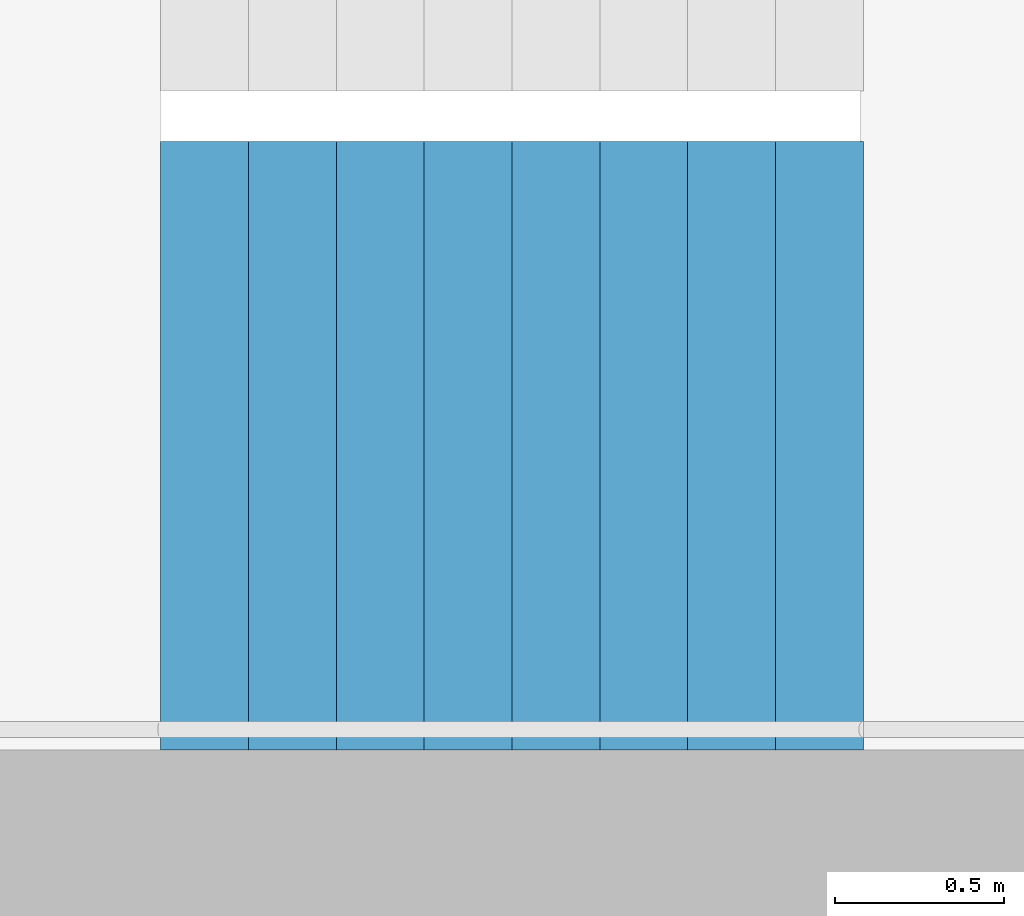
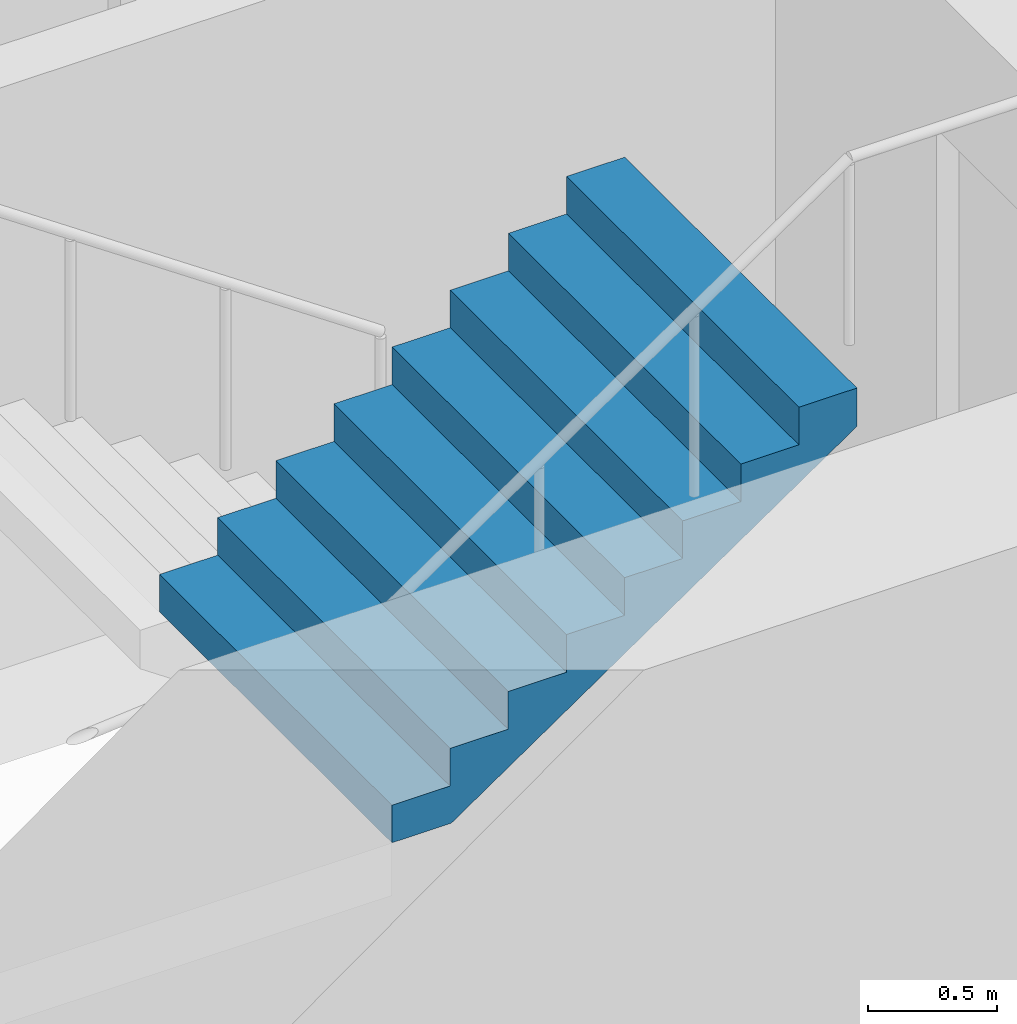
# One storey, part 18 of 30: 1 stair flight, 1 element without a shape of its own.
"""IFC4 building model written with IfcOpenShell, lengths in metres."""

from ifc_helpers import new_model, si_unit, direction, frame, origin, place, context, subcontext, project, spatial, triangles, material, type_object, element, aggregate, save


model = new_model("IFC4")

# Units and contexts
model_context = context("Model", 3, precision=1e-05, world=origin(), true_north=direction((0.0, 1.0)))
body_context = subcontext(model_context, "Body", "Model", "MODEL_VIEW")
ifc_project = project(units=[si_unit("LENGTHUNIT", "METRE"), si_unit("AREAUNIT", "SQUARE_METRE"), si_unit("VOLUMEUNIT", "CUBIC_METRE"), si_unit("PLANEANGLEUNIT", "RADIAN"), si_unit("MASSUNIT", "GRAM", prefix="KILO")], contexts=[model_context])

# Site, building, storey
site_placement = place(None, origin())
site = spatial("IfcSite", under=ifc_project, at=site_placement, CompositionType="ELEMENT")
building_placement = place(site_placement, origin())
building = spatial("IfcBuilding", under=site, at=building_placement, Name="Hakoniwa Tower and Hamabe Station Hall", CompositionType="ELEMENT")
storey_placement = place(building_placement, frame((0.0, 0.0, 245.39990234375)))
storey = spatial("IfcBuildingStorey", under=building, at=storey_placement, Name="L69", CompositionType="ELEMENT", Elevation=245.39990234375)

# Stair, stair flight
ifc_material_1 = material(Name="Concrete C40", Category="concrete")
stair_type = type_object("IfcStairType", Name="ESCAPE STAIR 1800", PredefinedType="HALF_TURN_STAIR", material=ifc_material_1)
stair_placement = place(storey_placement, origin())
stair = element("IfcStair", 1, at=stair_placement, inside=storey, type_object=stair_type, Name="Escape stair ST-2 L69", PredefinedType="HALF_TURN_STAIR")
ifc_material_2 = material(Name="Concrete C40", Category="concrete")
stair_flight_type = type_object("IfcStairFlightType", Name="STAIR FLIGHT 1800", PredefinedType="STRAIGHT", material=ifc_material_2)
stair_flight_placement = place(storey_placement, frame((-25.47998046875, -6.60009765625, 1.60009765625), z_axis=(0.0, 0.0, 1.0), x_axis=(1.0, 0.0, 0.0)))
stair_flight = element("IfcStairFlight", 2, at=stair_flight_placement, type_object=stair_flight_type, Name="ST-2 flight 2", NumberOfRisers=9, NumberOfTreads=8, PredefinedType="STRAIGHT", RiserHeight=0.177777778, TreadLength=0.26, context=body_context, shape_type="Tessellation", body=[
    triangles([(0.0, 0.89990234375, 0.0), (0.260009765625, 0.89990234375, 0.0), (0.265625, 0.89990234375, 0.0), (0.52001953125, 0.89990234375, 0.174072265625), (0.780029296875, 0.89990234375, 0.351806640625), (1.0400390625, 0.89990234375, 0.529541015625), (1.300048828125, 0.89990234375, 0.707275390625), (1.56005859375, 0.89990234375, 0.885009765625), (1.820068359375, 0.89990234375, 1.062744140625), (2.080078125, 0.89990234375, 1.24072265625), (2.080078125, 0.89990234375, 1.422119140625), (1.820068359375, 0.89990234375, 1.422119140625), (1.820068359375, 0.89990234375, 1.244384765625), (1.56005859375, 0.89990234375, 1.244384765625), (1.56005859375, 0.89990234375, 1.066650390625), (1.300048828125, 0.89990234375, 1.066650390625), (1.300048828125, 0.89990234375, 0.888916015625), (1.0400390625, 0.89990234375, 0.888916015625), (1.0400390625, 0.89990234375, 0.711181640625), (0.780029296875, 0.89990234375, 0.711181640625), (0.780029296875, 0.89990234375, 0.533447265625), (0.52001953125, 0.89990234375, 0.533447265625), (0.52001953125, 0.89990234375, 0.35546875), (0.265625, 0.89990234375, 0.35546875), (0.260009765625, 0.89990234375, 0.35546875), (0.260009765625, 0.89990234375, 0.177734375), (0.0, 0.89990234375, 0.177734375), (0.0, 0.06005859375, 0.0), (0.260009765625, 0.06005859375, 0.0), (0.265625, 0.06005859375, 0.0), (0.52001953125, 0.06005859375, 0.174072265625), (0.780029296875, 0.06005859375, 0.351806640625), (1.0400390625, 0.06005859375, 0.529541015625), (1.300048828125, 0.06005859375, 0.707275390625), (1.56005859375, 0.06005859375, 0.885009765625), (1.820068359375, 0.06005859375, 1.062744140625), (2.080078125, 0.06005859375, 1.24072265625), (2.080078125, 0.06005859375, 1.422119140625), (1.820068359375, 0.06005859375, 1.422119140625), (1.820068359375, 0.06005859375, 1.244384765625), (1.56005859375, 0.06005859375, 1.244384765625), (1.56005859375, 0.06005859375, 1.066650390625), (1.300048828125, 0.06005859375, 1.066650390625), (1.300048828125, 0.06005859375, 0.888916015625), (1.0400390625, 0.06005859375, 0.888916015625), (1.0400390625, 0.06005859375, 0.711181640625), (0.780029296875, 0.06005859375, 0.711181640625), (0.780029296875, 0.06005859375, 0.533447265625), (0.52001953125, 0.06005859375, 0.533447265625), (0.52001953125, 0.06005859375, 0.35546875), (0.265625, 0.06005859375, 0.35546875), (0.260009765625, 0.06005859375, 0.35546875), (0.260009765625, 0.06005859375, 0.177734375), (0.0, 0.06005859375, 0.177734375), (0.0, 0.04296875, 0.0), (0.260009765625, 0.04296875, 0.0), (0.265625, 0.04296875, 0.0), (0.52001953125, 0.04296875, 0.174072265625), (0.780029296875, 0.04296875, 0.351806640625), (1.0400390625, 0.04296875, 0.529541015625), (1.300048828125, 0.04296875, 0.707275390625), (1.56005859375, 0.04296875, 0.885009765625), (1.820068359375, 0.04296875, 1.062744140625), (2.080078125, 0.04296875, 1.24072265625), (2.080078125, 0.04296875, 1.422119140625), (1.820068359375, 0.04296875, 1.422119140625), (1.820068359375, 0.04296875, 1.244384765625), (1.56005859375, 0.04296875, 1.244384765625), (1.56005859375, 0.04296875, 1.066650390625), (1.300048828125, 0.04296875, 1.066650390625), (1.300048828125, 0.04296875, 0.888916015625), (1.0400390625, 0.04296875, 0.888916015625), (1.0400390625, 0.04296875, 0.711181640625), (0.780029296875, 0.04296875, 0.711181640625), (0.780029296875, 0.04296875, 0.533447265625), (0.52001953125, 0.04296875, 0.533447265625), (0.52001953125, 0.04296875, 0.35546875), (0.265625, 0.04296875, 0.35546875), (0.260009765625, 0.04296875, 0.35546875), (0.260009765625, 0.04296875, 0.177734375), (0.0, 0.04296875, 0.177734375), (0.0, 0.025634765625, 0.0), (0.260009765625, 0.025634765625, 0.0), (0.265625, 0.025634765625, 0.0), (0.52001953125, 0.025634765625, 0.174072265625), (0.780029296875, 0.025634765625, 0.351806640625), (1.0400390625, 0.025634765625, 0.529541015625), (1.300048828125, 0.025634765625, 0.707275390625), (1.56005859375, 0.025634765625, 0.885009765625), (1.820068359375, 0.025634765625, 1.062744140625), (2.080078125, 0.025634765625, 1.24072265625), (2.080078125, 0.025634765625, 1.422119140625), (1.820068359375, 0.025634765625, 1.422119140625), (1.820068359375, 0.025634765625, 1.244384765625), (1.56005859375, 0.025634765625, 1.244384765625), (1.56005859375, 0.025634765625, 1.066650390625), (1.300048828125, 0.025634765625, 1.066650390625), (1.300048828125, 0.025634765625, 0.888916015625), (1.0400390625, 0.025634765625, 0.888916015625), (1.0400390625, 0.025634765625, 0.711181640625), (0.780029296875, 0.025634765625, 0.711181640625), (0.780029296875, 0.025634765625, 0.533447265625), (0.52001953125, 0.025634765625, 0.533447265625), (0.52001953125, 0.025634765625, 0.35546875), (0.265625, 0.025634765625, 0.35546875), (0.260009765625, 0.025634765625, 0.35546875), (0.260009765625, 0.025634765625, 0.177734375), (0.0, 0.025634765625, 0.177734375), (0.0, 0.008544921875, 0.0), (0.260009765625, 0.008544921875, 0.0), (0.265625, 0.008544921875, 0.0), (0.52001953125, 0.008544921875, 0.174072265625), (0.780029296875, 0.008544921875, 0.351806640625), (1.0400390625, 0.008544921875, 0.529541015625), (1.300048828125, 0.008544921875, 0.707275390625), (1.56005859375, 0.008544921875, 0.885009765625), (1.820068359375, 0.008544921875, 1.062744140625), (2.080078125, 0.008544921875, 1.24072265625), (2.080078125, 0.008544921875, 1.422119140625), (1.820068359375, 0.008544921875, 1.422119140625), (1.820068359375, 0.008544921875, 1.244384765625), (1.56005859375, 0.008544921875, 1.244384765625), (1.56005859375, 0.008544921875, 1.066650390625), (1.300048828125, 0.008544921875, 1.066650390625), (1.300048828125, 0.008544921875, 0.888916015625), (1.0400390625, 0.008544921875, 0.888916015625), (1.0400390625, 0.008544921875, 0.711181640625), (0.780029296875, 0.008544921875, 0.711181640625), (0.780029296875, 0.008544921875, 0.533447265625), (0.52001953125, 0.008544921875, 0.533447265625), (0.52001953125, 0.008544921875, 0.35546875), (0.265625, 0.008544921875, 0.35546875), (0.260009765625, 0.008544921875, 0.35546875), (0.260009765625, 0.008544921875, 0.177734375), (0.0, 0.008544921875, 0.177734375), (0.0, -0.008544921875, 0.0), (0.260009765625, -0.008544921875, 0.0), (0.265625, -0.008544921875, 0.0), (0.52001953125, -0.008544921875, 0.174072265625), (0.780029296875, -0.008544921875, 0.351806640625), (1.0400390625, -0.008544921875, 0.529541015625), (1.300048828125, -0.008544921875, 0.707275390625), (1.56005859375, -0.008544921875, 0.885009765625), (1.820068359375, -0.008544921875, 1.062744140625), (2.080078125, -0.008544921875, 1.24072265625), (2.080078125, -0.008544921875, 1.422119140625), (1.820068359375, -0.008544921875, 1.422119140625), (1.820068359375, -0.008544921875, 1.244384765625), (1.56005859375, -0.008544921875, 1.244384765625), (1.56005859375, -0.008544921875, 1.066650390625), (1.300048828125, -0.008544921875, 1.066650390625), (1.300048828125, -0.008544921875, 0.888916015625), (1.0400390625, -0.008544921875, 0.888916015625), (1.0400390625, -0.008544921875, 0.711181640625), (0.780029296875, -0.008544921875, 0.711181640625), (0.780029296875, -0.008544921875, 0.533447265625), (0.52001953125, -0.008544921875, 0.533447265625), (0.52001953125, -0.008544921875, 0.35546875), (0.265625, -0.008544921875, 0.35546875), (0.260009765625, -0.008544921875, 0.35546875), (0.260009765625, -0.008544921875, 0.177734375), (0.0, -0.008544921875, 0.177734375), (0.0, -0.025634765625, 0.0), (0.260009765625, -0.025634765625, 0.0), (0.265625, -0.025634765625, 0.0), (0.52001953125, -0.025634765625, 0.174072265625), (0.780029296875, -0.025634765625, 0.351806640625), (1.0400390625, -0.025634765625, 0.529541015625), (1.300048828125, -0.025634765625, 0.707275390625), (1.56005859375, -0.025634765625, 0.885009765625), (1.820068359375, -0.025634765625, 1.062744140625), (2.080078125, -0.025634765625, 1.24072265625), (2.080078125, -0.025634765625, 1.422119140625), (1.820068359375, -0.025634765625, 1.422119140625), (1.820068359375, -0.025634765625, 1.244384765625), (1.56005859375, -0.025634765625, 1.244384765625), (1.56005859375, -0.025634765625, 1.066650390625), (1.300048828125, -0.025634765625, 1.066650390625), (1.300048828125, -0.025634765625, 0.888916015625), (1.0400390625, -0.025634765625, 0.888916015625), (1.0400390625, -0.025634765625, 0.711181640625), (0.780029296875, -0.025634765625, 0.711181640625), (0.780029296875, -0.025634765625, 0.533447265625), (0.52001953125, -0.025634765625, 0.533447265625), (0.52001953125, -0.025634765625, 0.35546875), (0.265625, -0.025634765625, 0.35546875), (0.260009765625, -0.025634765625, 0.35546875), (0.260009765625, -0.025634765625, 0.177734375), (0.0, -0.025634765625, 0.177734375), (0.0, -0.04296875, 0.0), (0.260009765625, -0.04296875, 0.0), (0.265625, -0.04296875, 0.0), (0.52001953125, -0.04296875, 0.174072265625), (0.780029296875, -0.04296875, 0.351806640625), (1.0400390625, -0.04296875, 0.529541015625), (1.300048828125, -0.04296875, 0.707275390625), (1.56005859375, -0.04296875, 0.885009765625), (1.820068359375, -0.04296875, 1.062744140625), (2.080078125, -0.04296875, 1.24072265625), (2.080078125, -0.04296875, 1.422119140625), (1.820068359375, -0.04296875, 1.422119140625), (1.820068359375, -0.04296875, 1.244384765625), (1.56005859375, -0.04296875, 1.244384765625), (1.56005859375, -0.04296875, 1.066650390625), (1.300048828125, -0.04296875, 1.066650390625), (1.300048828125, -0.04296875, 0.888916015625), (1.0400390625, -0.04296875, 0.888916015625), (1.0400390625, -0.04296875, 0.711181640625), (0.780029296875, -0.04296875, 0.711181640625), (0.780029296875, -0.04296875, 0.533447265625), (0.52001953125, -0.04296875, 0.533447265625), (0.52001953125, -0.04296875, 0.35546875), (0.265625, -0.04296875, 0.35546875), (0.260009765625, -0.04296875, 0.35546875), (0.260009765625, -0.04296875, 0.177734375), (0.0, -0.04296875, 0.177734375), (0.0, -0.06005859375, 0.0), (0.260009765625, -0.06005859375, 0.0), (0.265625, -0.06005859375, 0.0), (0.52001953125, -0.06005859375, 0.174072265625), (0.780029296875, -0.06005859375, 0.351806640625), (1.0400390625, -0.06005859375, 0.529541015625), (1.300048828125, -0.06005859375, 0.707275390625), (1.56005859375, -0.06005859375, 0.885009765625), (1.820068359375, -0.06005859375, 1.062744140625), (2.080078125, -0.06005859375, 1.24072265625), (2.080078125, -0.06005859375, 1.422119140625), (1.820068359375, -0.06005859375, 1.422119140625), (1.820068359375, -0.06005859375, 1.244384765625), (1.56005859375, -0.06005859375, 1.244384765625), (1.56005859375, -0.06005859375, 1.066650390625), (1.300048828125, -0.06005859375, 1.066650390625), (1.300048828125, -0.06005859375, 0.888916015625), (1.0400390625, -0.06005859375, 0.888916015625), (1.0400390625, -0.06005859375, 0.711181640625), (0.780029296875, -0.06005859375, 0.711181640625), (0.780029296875, -0.06005859375, 0.533447265625), (0.52001953125, -0.06005859375, 0.533447265625), (0.52001953125, -0.06005859375, 0.35546875), (0.265625, -0.06005859375, 0.35546875), (0.260009765625, -0.06005859375, 0.35546875), (0.260009765625, -0.06005859375, 0.177734375), (0.0, -0.06005859375, 0.177734375), (0.0, -0.89990234375, 0.0), (0.260009765625, -0.89990234375, 0.0), (0.265625, -0.89990234375, 0.0), (0.52001953125, -0.89990234375, 0.174072265625), (0.780029296875, -0.89990234375, 0.351806640625), (1.0400390625, -0.89990234375, 0.529541015625), (1.300048828125, -0.89990234375, 0.707275390625), (1.56005859375, -0.89990234375, 0.885009765625), (1.820068359375, -0.89990234375, 1.062744140625), (2.080078125, -0.89990234375, 1.24072265625), (2.080078125, -0.89990234375, 1.422119140625), (1.820068359375, -0.89990234375, 1.422119140625), (1.820068359375, -0.89990234375, 1.244384765625), (1.56005859375, -0.89990234375, 1.244384765625), (1.56005859375, -0.89990234375, 1.066650390625), (1.300048828125, -0.89990234375, 1.066650390625), (1.300048828125, -0.89990234375, 0.888916015625), (1.0400390625, -0.89990234375, 0.888916015625), (1.0400390625, -0.89990234375, 0.711181640625), (0.780029296875, -0.89990234375, 0.711181640625), (0.780029296875, -0.89990234375, 0.533447265625), (0.52001953125, -0.89990234375, 0.533447265625), (0.52001953125, -0.89990234375, 0.35546875), (0.265625, -0.89990234375, 0.35546875), (0.260009765625, -0.89990234375, 0.35546875), (0.260009765625, -0.89990234375, 0.177734375), (0.0, -0.89990234375, 0.177734375)], [[2, 27, 26], [245, 269, 270], [2, 1, 27], [245, 270, 244], [3, 25, 24], [246, 267, 268], [3, 26, 25], [246, 268, 269], [3, 2, 26], [246, 269, 245], [4, 24, 23], [247, 266, 267], [4, 3, 24], [247, 267, 246], [5, 22, 21], [248, 264, 265], [5, 23, 22], [248, 265, 266], [5, 4, 23], [248, 266, 247], [6, 20, 19], [249, 262, 263], [6, 21, 20], [249, 263, 264], [6, 5, 21], [249, 264, 248], [7, 18, 17], [250, 260, 261], [7, 19, 18], [250, 261, 262], [7, 6, 19], [250, 262, 249], [8, 16, 15], [251, 258, 259], [8, 17, 16], [251, 259, 260], [8, 7, 17], [251, 260, 250], [9, 14, 13], [252, 256, 257], [9, 15, 14], [252, 257, 258], [9, 8, 15], [252, 258, 251], [10, 12, 11], [253, 254, 255], [10, 13, 12], [253, 255, 256], [10, 9, 13], [253, 256, 252], [1, 2, 29], [1, 29, 28], [28, 29, 56], [28, 56, 55], [55, 56, 83], [55, 83, 82], [82, 83, 110], [82, 110, 109], [109, 110, 137], [109, 137, 136], [136, 137, 164], [136, 164, 163], [163, 164, 191], [163, 191, 190], [190, 191, 218], [190, 218, 217], [217, 218, 245], [217, 245, 244], [2, 3, 30], [2, 30, 29], [29, 30, 57], [29, 57, 56], [56, 57, 84], [56, 84, 83], [83, 84, 111], [83, 111, 110], [110, 111, 138], [110, 138, 137], [137, 138, 165], [137, 165, 164], [164, 165, 192], [164, 192, 191], [191, 192, 219], [191, 219, 218], [218, 219, 246], [218, 246, 245], [3, 4, 31], [3, 31, 30], [30, 31, 58], [30, 58, 57], [57, 58, 85], [57, 85, 84], [84, 85, 112], [84, 112, 111], [111, 112, 139], [111, 139, 138], [138, 139, 166], [138, 166, 165], [165, 166, 193], [165, 193, 192], [192, 193, 220], [192, 220, 219], [219, 220, 247], [219, 247, 246], [4, 5, 32], [4, 32, 31], [31, 32, 59], [31, 59, 58], [58, 59, 86], [58, 86, 85], [85, 86, 113], [85, 113, 112], [112, 113, 140], [112, 140, 139], [139, 140, 167], [139, 167, 166], [166, 167, 194], [166, 194, 193], [193, 194, 221], [193, 221, 220], [220, 221, 248], [220, 248, 247], [5, 6, 33], [5, 33, 32], [32, 33, 60], [32, 60, 59], [59, 60, 87], [59, 87, 86], [86, 87, 114], [86, 114, 113], [113, 114, 141], [113, 141, 140], [140, 141, 168], [140, 168, 167], [167, 168, 195], [167, 195, 194], [194, 195, 222], [194, 222, 221], [221, 222, 249], [221, 249, 248], [6, 7, 34], [6, 34, 33], [33, 34, 61], [33, 61, 60], [60, 61, 88], [60, 88, 87], [87, 88, 115], [87, 115, 114], [114, 115, 142], [114, 142, 141], [141, 142, 169], [141, 169, 168], [168, 169, 196], [168, 196, 195], [195, 196, 223], [195, 223, 222], [222, 223, 250], [222, 250, 249], [7, 8, 35], [7, 35, 34], [34, 35, 62], [34, 62, 61], [61, 62, 89], [61, 89, 88], [88, 89, 116], [88, 116, 115], [115, 116, 143], [115, 143, 142], [142, 143, 170], [142, 170, 169], [169, 170, 197], [169, 197, 196], [196, 197, 224], [196, 224, 223], [223, 224, 251], [223, 251, 250], [8, 9, 36], [8, 36, 35], [35, 36, 63], [35, 63, 62], [62, 63, 90], [62, 90, 89], [89, 90, 117], [89, 117, 116], [116, 117, 144], [116, 144, 143], [143, 144, 171], [143, 171, 170], [170, 171, 198], [170, 198, 197], [197, 198, 225], [197, 225, 224], [224, 225, 252], [224, 252, 251], [9, 10, 37], [9, 37, 36], [36, 37, 64], [36, 64, 63], [63, 64, 91], [63, 91, 90], [90, 91, 118], [90, 118, 117], [117, 118, 145], [117, 145, 144], [144, 145, 172], [144, 172, 171], [171, 172, 199], [171, 199, 198], [198, 199, 226], [198, 226, 225], [225, 226, 253], [225, 253, 252], [10, 11, 38], [10, 38, 37], [37, 38, 65], [37, 65, 64], [64, 65, 92], [64, 92, 91], [91, 92, 119], [91, 119, 118], [118, 119, 146], [118, 146, 145], [145, 146, 173], [145, 173, 172], [172, 173, 200], [172, 200, 199], [199, 200, 227], [199, 227, 226], [226, 227, 254], [226, 254, 253], [11, 12, 39], [11, 39, 38], [38, 39, 66], [38, 66, 65], [65, 66, 93], [65, 93, 92], [92, 93, 120], [92, 120, 119], [119, 120, 147], [119, 147, 146], [146, 147, 174], [146, 174, 173], [173, 174, 201], [173, 201, 200], [200, 201, 228], [200, 228, 227], [227, 228, 255], [227, 255, 254], [12, 13, 40], [12, 40, 39], [39, 40, 67], [39, 67, 66], [66, 67, 94], [66, 94, 93], [93, 94, 121], [93, 121, 120], [120, 121, 148], [120, 148, 147], [147, 148, 175], [147, 175, 174], [174, 175, 202], [174, 202, 201], [201, 202, 229], [201, 229, 228], [228, 229, 256], [228, 256, 255], [13, 14, 41], [13, 41, 40], [40, 41, 68], [40, 68, 67], [67, 68, 95], [67, 95, 94], [94, 95, 122], [94, 122, 121], [121, 122, 149], [121, 149, 148], [148, 149, 176], [148, 176, 175], [175, 176, 203], [175, 203, 202], [202, 203, 230], [202, 230, 229], [229, 230, 257], [229, 257, 256], [14, 15, 42], [14, 42, 41], [41, 42, 69], [41, 69, 68], [68, 69, 96], [68, 96, 95], [95, 96, 123], [95, 123, 122], [122, 123, 150], [122, 150, 149], [149, 150, 177], [149, 177, 176], [176, 177, 204], [176, 204, 203], [203, 204, 231], [203, 231, 230], [230, 231, 258], [230, 258, 257], [15, 16, 43], [15, 43, 42], [42, 43, 70], [42, 70, 69], [69, 70, 97], [69, 97, 96], [96, 97, 124], [96, 124, 123], [123, 124, 151], [123, 151, 150], [150, 151, 178], [150, 178, 177], [177, 178, 205], [177, 205, 204], [204, 205, 232], [204, 232, 231], [231, 232, 259], [231, 259, 258], [16, 17, 44], [16, 44, 43], [43, 44, 71], [43, 71, 70], [70, 71, 98], [70, 98, 97], [97, 98, 125], [97, 125, 124], [124, 125, 152], [124, 152, 151], [151, 152, 179], [151, 179, 178], [178, 179, 206], [178, 206, 205], [205, 206, 233], [205, 233, 232], [232, 233, 260], [232, 260, 259], [17, 18, 45], [17, 45, 44], [44, 45, 72], [44, 72, 71], [71, 72, 99], [71, 99, 98], [98, 99, 126], [98, 126, 125], [125, 126, 153], [125, 153, 152], [152, 153, 180], [152, 180, 179], [179, 180, 207], [179, 207, 206], [206, 207, 234], [206, 234, 233], [233, 234, 261], [233, 261, 260], [18, 19, 46], [18, 46, 45], [45, 46, 73], [45, 73, 72], [72, 73, 100], [72, 100, 99], [99, 100, 127], [99, 127, 126], [126, 127, 154], [126, 154, 153], [153, 154, 181], [153, 181, 180], [180, 181, 208], [180, 208, 207], [207, 208, 235], [207, 235, 234], [234, 235, 262], [234, 262, 261], [19, 20, 47], [19, 47, 46], [46, 47, 74], [46, 74, 73], [73, 74, 101], [73, 101, 100], [100, 101, 128], [100, 128, 127], [127, 128, 155], [127, 155, 154], [154, 155, 182], [154, 182, 181], [181, 182, 209], [181, 209, 208], [208, 209, 236], [208, 236, 235], [235, 236, 263], [235, 263, 262], [20, 21, 48], [20, 48, 47], [47, 48, 75], [47, 75, 74], [74, 75, 102], [74, 102, 101], [101, 102, 129], [101, 129, 128], [128, 129, 156], [128, 156, 155], [155, 156, 183], [155, 183, 182], [182, 183, 210], [182, 210, 209], [209, 210, 237], [209, 237, 236], [236, 237, 264], [236, 264, 263], [21, 22, 49], [21, 49, 48], [48, 49, 76], [48, 76, 75], [75, 76, 103], [75, 103, 102], [102, 103, 130], [102, 130, 129], [129, 130, 157], [129, 157, 156], [156, 157, 184], [156, 184, 183], [183, 184, 211], [183, 211, 210], [210, 211, 238], [210, 238, 237], [237, 238, 265], [237, 265, 264], [22, 23, 50], [22, 50, 49], [49, 50, 77], [49, 77, 76], [76, 77, 104], [76, 104, 103], [103, 104, 131], [103, 131, 130], [130, 131, 158], [130, 158, 157], [157, 158, 185], [157, 185, 184], [184, 185, 212], [184, 212, 211], [211, 212, 239], [211, 239, 238], [238, 239, 266], [238, 266, 265], [23, 24, 51], [23, 51, 50], [50, 51, 78], [50, 78, 77], [77, 78, 105], [77, 105, 104], [104, 105, 132], [104, 132, 131], [131, 132, 159], [131, 159, 158], [158, 159, 186], [158, 186, 185], [185, 186, 213], [185, 213, 212], [212, 213, 240], [212, 240, 239], [239, 240, 267], [239, 267, 266], [24, 25, 52], [24, 52, 51], [51, 52, 79], [51, 79, 78], [78, 79, 106], [78, 106, 105], [105, 106, 133], [105, 133, 132], [132, 133, 160], [132, 160, 159], [159, 160, 187], [159, 187, 186], [186, 187, 214], [186, 214, 213], [213, 214, 241], [213, 241, 240], [240, 241, 268], [240, 268, 267], [25, 26, 53], [25, 53, 52], [52, 53, 80], [52, 80, 79], [79, 80, 107], [79, 107, 106], [106, 107, 134], [106, 134, 133], [133, 134, 161], [133, 161, 160], [160, 161, 188], [160, 188, 187], [187, 188, 215], [187, 215, 214], [214, 215, 242], [214, 242, 241], [241, 242, 269], [241, 269, 268], [26, 27, 54], [26, 54, 53], [53, 54, 81], [53, 81, 80], [80, 81, 108], [80, 108, 107], [107, 108, 135], [107, 135, 134], [134, 135, 162], [134, 162, 161], [161, 162, 189], [161, 189, 188], [188, 189, 216], [188, 216, 215], [215, 216, 243], [215, 243, 242], [242, 243, 270], [242, 270, 269], [27, 1, 28], [27, 28, 54], [54, 28, 55], [54, 55, 81], [81, 55, 82], [81, 82, 108], [108, 82, 109], [108, 109, 135], [135, 109, 136], [135, 136, 162], [162, 136, 163], [162, 163, 189], [189, 163, 190], [189, 190, 216], [216, 190, 217], [216, 217, 243], [243, 217, 244], [243, 244, 270]], closed=True),
])
aggregate(stair, [stair_flight])

save(model, "model.ifc")
